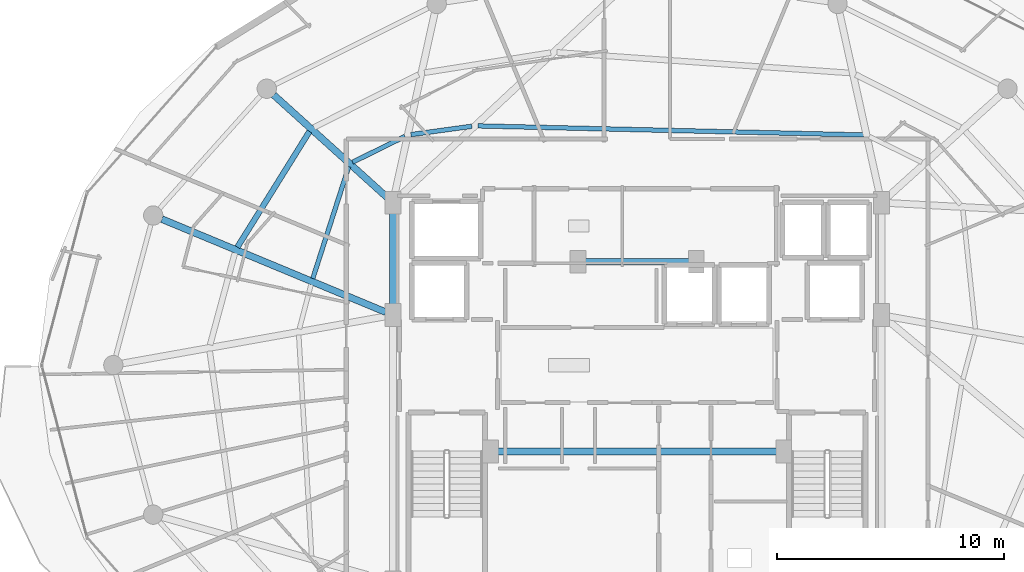
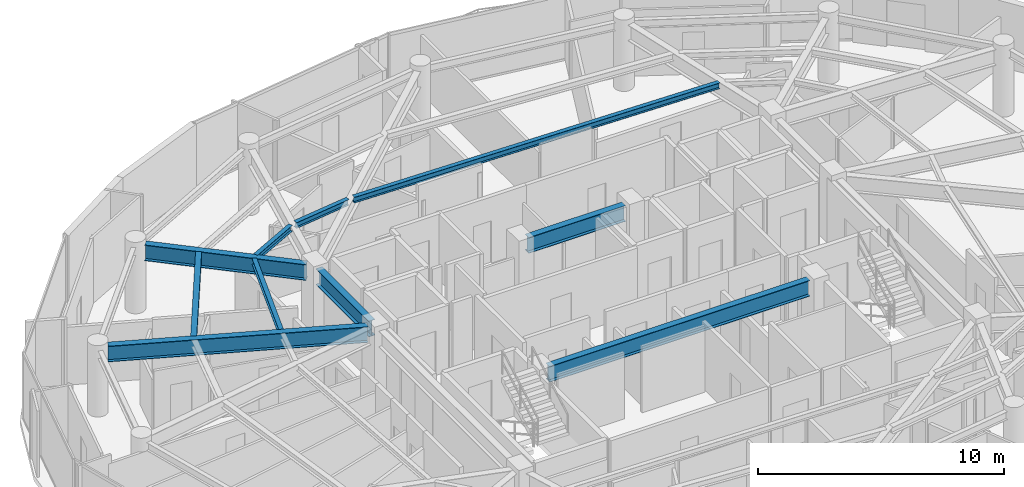
# One storey, part 10 of 32: 10 beams.
"""IFC4 building model written with IfcOpenShell, lengths in metres."""

from ifc_helpers import new_model, si_unit, direction, frame, origin, origin_2d, place, context, subcontext, project, spatial, i_section, extrude, material, material_profile, profile_set, type_object, element, save


model = new_model("IFC4")

# Units and contexts
model_context = context("Model", 3, precision=1e-05, world=origin(), true_north=direction((0.0, 1.0)))
body_context = subcontext(model_context, "Body", "Model", "MODEL_VIEW")
ifc_project = project(units=[si_unit("LENGTHUNIT", "METRE"), si_unit("AREAUNIT", "SQUARE_METRE"), si_unit("VOLUMEUNIT", "CUBIC_METRE"), si_unit("PLANEANGLEUNIT", "RADIAN"), si_unit("MASSUNIT", "GRAM", prefix="KILO")], contexts=[model_context])

# Site, building, storey
site_placement = place(None, origin())
site = spatial("IfcSite", under=ifc_project, at=site_placement, CompositionType="ELEMENT")
building_placement = place(site_placement, origin())
building = spatial("IfcBuilding", under=site, at=building_placement, Name="Vorneva Point Tower", CompositionType="ELEMENT")
storey_placement = place(building_placement, frame((0.0, 0.0, 269.75)))
storey = spatial("IfcBuildingStorey", under=building, at=storey_placement, Name="L73", CompositionType="ELEMENT", Elevation=269.75)

# Beams
ifc_material = material(Name="Steel S355", Category="steel")
ifc_material_profile_1 = material_profile(ifc_material, i_section(OverallWidth=0.300048828125, OverallDepth=0.7880859375, WebThickness=0.014404296875, FlangeThickness=0.02197265625, at=origin_2d()), Name="80Sh1")
ifc_profile_set_1 = profile_set([ifc_material_profile_1], Name="Steel S355")
beam_type_1 = type_object("IfcBeamType", Name="BM-GRD-80Sh1", PredefinedType="USERDEFINED", material=ifc_profile_set_1)
beam_1_placement = place(storey_placement, frame((22.0078125, 37.885498046875, 2.89599609375), z_axis=(0.7420671051, -0.670325601128, 0.0), x_axis=(0.670325601128, 0.7420671051, 0.0)))
element("IfcBeam", 1, at=beam_1_placement, inside=storey, type_object=beam_type_1, Name="L73 Radial Primary Girder 07", ObjectType="GIRDER", PredefinedType="USERDEFINED", context=body_context, shape_type="SweptSolid", body=[
    extrude(i_section(OverallWidth=0.300048828125, OverallDepth=0.7880859375, WebThickness=0.014404296875, FlangeThickness=0.02197265625, at=origin_2d()), origin(), (0.0, 0.0, 1.0), 6.724365234375),
])
beam_2_placement = place(storey_placement, frame((17.0859375, 32.423583984375, 2.89599609375), z_axis=(0.923448932068, -0.383721344027, 0.0), x_axis=(0.383721344027, 0.923448932068, 0.0)))
element("IfcBeam", 2, at=beam_2_placement, inside=storey, type_object=beam_type_1, Name="L73 Radial Primary Girder 08", ObjectType="GIRDER", PredefinedType="USERDEFINED", context=body_context, shape_type="SweptSolid", body=[
    extrude(i_section(OverallWidth=0.300048828125, OverallDepth=0.7880859375, WebThickness=0.014404296875, FlangeThickness=0.02197265625, at=origin_2d()), origin(), (0.0, 0.0, 1.0), 10.666748046875),
])
beam_3_placement = place(storey_placement, frame((27.25, 28.52001953125, 2.89599609375), z_axis=(0.0, 1.0, 0.0), x_axis=(-1.0, 0.0, 0.0)))
element("IfcBeam", 3, at=beam_3_placement, inside=storey, type_object=beam_type_1, Name="L73 Core Tie Girder CT2", ObjectType="GIRDER", PredefinedType="USERDEFINED", context=body_context, shape_type="SweptSolid", body=[
    extrude(i_section(OverallWidth=0.300048828125, OverallDepth=0.7880859375, WebThickness=0.014404296875, FlangeThickness=0.02197265625, at=origin_2d()), origin(), (0.0, 0.0, 1.0), 4.31005859375),
])
beam_4_placement = place(storey_placement, frame((35.719970703125, 30.550048828125, 2.89599609375), z_axis=(1.0, 0.0, 0.0), x_axis=(0.0, 1.0, 0.0)))
element("IfcBeam", 4, at=beam_4_placement, inside=storey, type_object=beam_type_1, Name="L73 Core Tie Girder CT8", ObjectType="GIRDER", PredefinedType="USERDEFINED", context=body_context, shape_type="SweptSolid", body=[
    extrude(i_section(OverallWidth=0.300048828125, OverallDepth=0.7880859375, WebThickness=0.014404296875, FlangeThickness=0.02197265625, at=origin_2d()), origin(), (0.0, 0.0, 1.0), 4.56005859375),
])
beam_5_placement = place(storey_placement, frame((31.8701171875, 22.199951171875, 2.89599609375), z_axis=(1.0, 0.0, 0.0), x_axis=(0.0, 1.0, 0.0)))
element("IfcBeam", 5, at=beam_5_placement, inside=storey, type_object=beam_type_1, Name="L73 Core Tie Girder CT7", ObjectType="GIRDER", PredefinedType="USERDEFINED", context=body_context, shape_type="SweptSolid", body=[
    extrude(i_section(OverallWidth=0.300048828125, OverallDepth=0.7880859375, WebThickness=0.014404296875, FlangeThickness=0.02197265625, at=origin_2d()), origin(), (0.0, 0.0, 1.0), 12.259765625),
])
ifc_material_profile_2 = material_profile(ifc_material, i_section(OverallWidth=0.199951171875, OverallDepth=0.291015625, WebThickness=0.008056640625, FlangeThickness=0.010986328125, at=origin_2d()), Name="30Sh1")
ifc_profile_set_2 = profile_set([ifc_material_profile_2], Name="Steel S355")
beam_type_2 = type_object("IfcBeamType", Name="BM-SEC-30Sh1", PredefinedType="BEAM", material=ifc_profile_set_2)
beam_6_placement = place(storey_placement, frame((47.955810546875, 36.126953125, 3.14453125), z_axis=(-0.999723274381, 0.023523916799, 0.0), x_axis=(-0.023523916799, -0.999723274381, 0.0)))
element("IfcBeam", 6, at=beam_6_placement, inside=storey, type_object=beam_type_2, Name="L73 Secondary Floor Beam 2.04", PredefinedType="BEAM", context=body_context, shape_type="SweptSolid", body=[
    extrude(i_section(OverallWidth=0.199951171875, OverallDepth=0.291015625, WebThickness=0.008056640625, FlangeThickness=0.010986328125, at=origin_2d()), origin(), (0.0, 0.0, 1.0), 16.958251953125),
])
beam_7_placement = place(storey_placement, frame((30.7275390625, 36.51025390625, 3.14453125), z_axis=(-0.990749387049, -0.135704281664, 0.0), x_axis=(0.135704281664, -0.990749387049, 0.0)))
element("IfcBeam", 7, at=beam_7_placement, inside=storey, type_object=beam_type_2, Name="L73 Secondary Floor Beam 2.05", PredefinedType="BEAM", context=body_context, shape_type="SweptSolid", body=[
    extrude(i_section(OverallWidth=0.199951171875, OverallDepth=0.291015625, WebThickness=0.008056640625, FlangeThickness=0.010986328125, at=origin_2d()), origin(), (0.0, 0.0, 1.0), 2.70947265625),
])
beam_8_placement = place(storey_placement, frame((27.782470703125, 36.062744140625, 3.14453125), z_axis=(-0.897106439702, -0.441814481254, 0.0), x_axis=(0.441814481254, -0.897106439702, 0.0)))
element("IfcBeam", 8, at=beam_8_placement, inside=storey, type_object=beam_type_2, Name="L73 Secondary Floor Beam 2.06", PredefinedType="BEAM", context=body_context, shape_type="SweptSolid", body=[
    extrude(i_section(OverallWidth=0.199951171875, OverallDepth=0.291015625, WebThickness=0.008056640625, FlangeThickness=0.010986328125, at=origin_2d()), origin(), (0.0, 0.0, 1.0), 2.572265625),
])
beam_9_placement = place(storey_placement, frame((25.308837890625, 34.73388671875, 3.14453125), z_axis=(-0.305865464812, -0.952074743618, 0.0), x_axis=(0.952074743618, -0.305865464812, 0.0)))
element("IfcBeam", 9, at=beam_9_placement, inside=storey, type_object=beam_type_2, Name="L73 Secondary Floor Beam 2.07", PredefinedType="BEAM", context=body_context, shape_type="SweptSolid", body=[
    extrude(i_section(OverallWidth=0.199951171875, OverallDepth=0.291015625, WebThickness=0.008056640625, FlangeThickness=0.010986328125, at=origin_2d()), origin(), (0.0, 0.0, 1.0), 5.169189453125),
])
ifc_material_profile_3 = material_profile(ifc_material, i_section(OverallWidth=0.2490234375, OverallDepth=0.333984375, WebThickness=0.008056640625, FlangeThickness=0.010986328125, at=origin_2d()), Name="35Sh1")
ifc_profile_set_3 = profile_set([ifc_material_profile_3], Name="Steel S355")
beam_type_3 = type_object("IfcBeamType", Name="BM-SEC-35Sh1", PredefinedType="BEAM", material=ifc_profile_set_3)
beam_10_placement = place(storey_placement, frame((23.581298828125, 36.28076171875, 3.123046875), z_axis=(-0.528831274258, -0.848726978107, 0.0), x_axis=(0.848726978107, -0.528831274258, 0.0)))
element("IfcBeam", 10, at=beam_10_placement, inside=storey, type_object=beam_type_3, Name="L73 Secondary Floor Beam 1.07", PredefinedType="BEAM", context=body_context, shape_type="SweptSolid", body=[
    extrude(i_section(OverallWidth=0.2490234375, OverallDepth=0.333984375, WebThickness=0.008056640625, FlangeThickness=0.010986328125, at=origin_2d()), origin(), (0.0, 0.0, 1.0), 5.997802734375),
])

save(model, "model.ifc")
